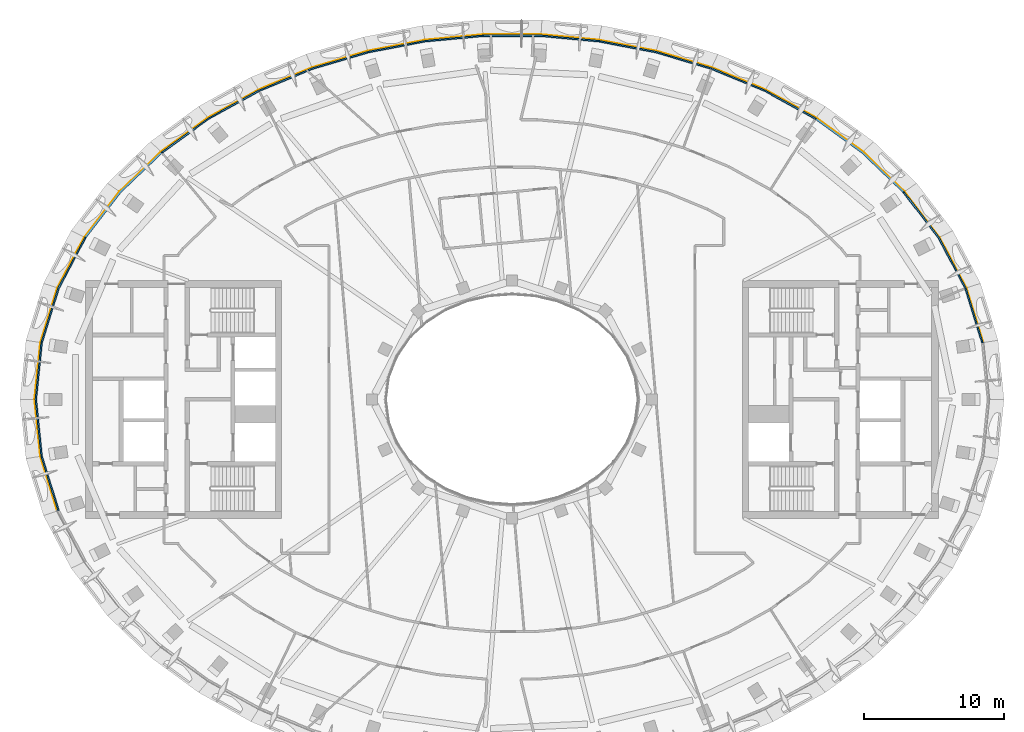
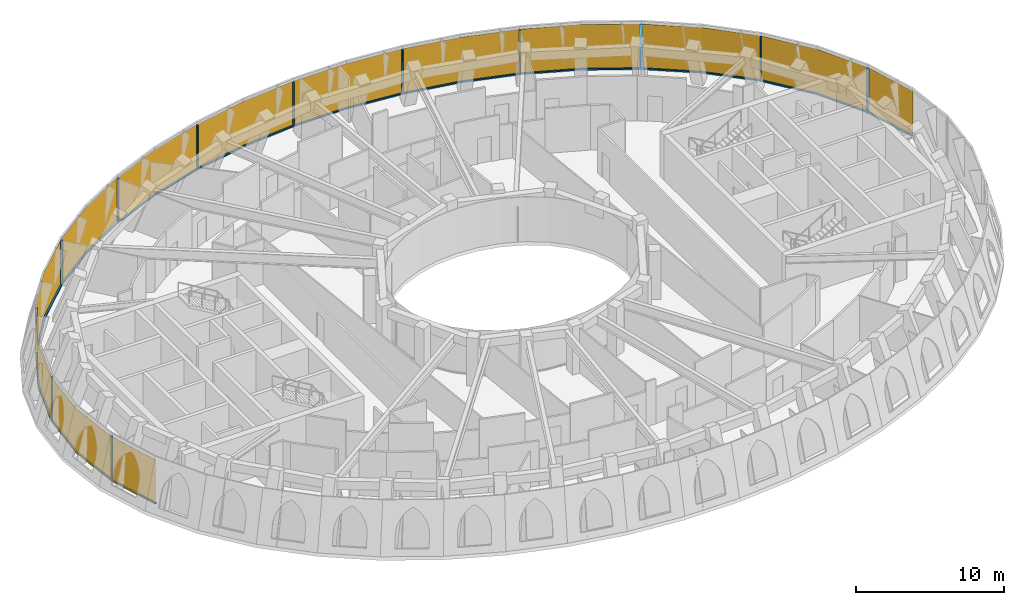
# One storey, part 10 of 14: 25 members, 1 curtain wall.
"""IFC4 building model written with IfcOpenShell, lengths in metres."""

from ifc_helpers import new_model, si_unit, direction, frame, origin, origin_2d, place, context, subcontext, project, spatial, polyline, rectangle, outline, extrude, material, layer, layer_set, material_profile, profile_set, type_object, element, aggregate, save


model = new_model("IFC4")

# Units and contexts
model_context = context("Model", 3, precision=1e-05, world=origin(), true_north=direction((0.0, 1.0)))
body_context = subcontext(model_context, "Body", "Model", "MODEL_VIEW")
ifc_project = project(units=[si_unit("LENGTHUNIT", "METRE"), si_unit("AREAUNIT", "SQUARE_METRE"), si_unit("VOLUMEUNIT", "CUBIC_METRE"), si_unit("PLANEANGLEUNIT", "RADIAN"), si_unit("MASSUNIT", "GRAM", prefix="KILO")], contexts=[model_context])

# Member
ifc_material_1 = material(Name="Aluminium 6063-T6 black anodised", Category="aluminium")
ifc_material_profile = material_profile(ifc_material_1, rectangle(XDim=0.1201171875, YDim=0.06005859375, at=origin_2d()), Name="120x60")
ifc_profile_set = profile_set([ifc_material_profile], Name="Aluminium 6063-T6 black anodised")
member_type_1 = type_object("IfcMemberType", Name="ENV-MULLION-H-120", PredefinedType="MULLION", material=ifc_profile_set)
site_placement = place(None, origin())
building_placement = place(site_placement, origin())
storey_placement = place(building_placement, frame((0.0, 0.0, 339.0)))
member_1_placement = place(storey_placement, frame((32.441650390625, 7.950927734375, 0.0), z_axis=(0.0, 0.0, 1.0), x_axis=(-0.923415426991, -0.383801966118, 0.0)))
member_1 = element("IfcMember", 1, at=member_1_placement, type_object=member_type_1, Name="Mullion H radial 03", PredefinedType="MULLION", context=body_context, shape_type="SweptSolid", body=[
    extrude(rectangle(XDim=0.1201171875, YDim=0.06005859375, at=origin_2d()), origin(), (0.0, 0.0, 1.0), 3.699951171875),
])

member_2_placement = place(storey_placement, frame((28.02392578125, 14.818603515625, 0.0), z_axis=(0.0, 0.0, 1.0), x_axis=(-0.743973057625, -0.668209614962, 0.0)))
member_2 = element("IfcMember", 2, at=member_2_placement, type_object=member_type_1, Name="Mullion H radial 05", PredefinedType="MULLION", context=body_context, shape_type="SweptSolid", body=[
    extrude(rectangle(XDim=0.1201171875, YDim=0.06005859375, at=origin_2d()), origin(), (0.0, 0.0, 1.0), 3.699951171875),
])

member_3_placement = place(storey_placement, frame((21.70947265625, 20.0859375, 0.0), z_axis=(0.0, 0.0, 1.0), x_axis=(-0.536384200715, -0.843973926862, 0.0)))
member_3 = element("IfcMember", 3, at=member_3_placement, type_object=member_type_1, Name="Mullion H radial 07", PredefinedType="MULLION", context=body_context, shape_type="SweptSolid", body=[
    extrude(rectangle(XDim=0.1201171875, YDim=0.06005859375, at=origin_2d()), origin(), (0.0, 0.0, 1.0), 3.699951171875),
])

member_4_placement = place(storey_placement, frame((14.263671875, 23.670166015625, 0.0), z_axis=(0.0, 0.0, 1.0), x_axis=(-0.333774757035, -0.942652858462, 0.0)))
member_4 = element("IfcMember", 4, at=member_4_placement, type_object=member_type_1, Name="Mullion H radial 09", PredefinedType="MULLION", context=body_context, shape_type="SweptSolid", body=[
    extrude(rectangle(XDim=0.1201171875, YDim=0.06005859375, at=origin_2d()), origin(), (0.0, 0.0, 1.0), 3.699951171875),
])

member_5_placement = place(storey_placement, frame((6.2109375, 25.628662109375, 0.0), z_axis=(0.0, 0.0, 1.0), x_axis=(-0.140930977434, -0.99001942385, 0.0)))
member_5 = element("IfcMember", 5, at=member_5_placement, type_object=member_type_1, Name="Mullion H radial 11", PredefinedType="MULLION", context=body_context, shape_type="SweptSolid", body=[
    extrude(rectangle(XDim=0.1201171875, YDim=0.06005859375, at=origin_2d()), origin(), (0.0, 0.0, 1.0), 3.699951171875),
])

member_6_placement = place(storey_placement, frame((-2.07666015625, 26.01708984375, 0.0), z_axis=(0.0, 0.0, 1.0), x_axis=(0.046829801895, -0.998902882994, 0.0)))
member_6 = element("IfcMember", 6, at=member_6_placement, type_object=member_type_1, Name="Mullion H radial 13", PredefinedType="MULLION", context=body_context, shape_type="SweptSolid", body=[
    extrude(rectangle(XDim=0.1201171875, YDim=0.06005859375, at=origin_2d()), origin(), (0.0, 0.0, 1.0), 3.699951171875),
])

member_7_placement = place(storey_placement, frame((-10.28759765625, 24.848388671875, 0.0), z_axis=(0.0, 0.0, 1.0), x_axis=(0.236328573501, -0.971673198842, 0.0)))
member_7 = element("IfcMember", 7, at=member_7_placement, type_object=member_type_1, Name="Mullion H radial 15", PredefinedType="MULLION", context=body_context, shape_type="SweptSolid", body=[
    extrude(rectangle(XDim=0.1201171875, YDim=0.06005859375, at=origin_2d()), origin(), (0.0, 0.0, 1.0), 3.699951171875),
])

member_8_placement = place(storey_placement, frame((-18.09033203125, 22.0859375, 0.0), z_axis=(0.0, 0.0, 1.0), x_axis=(0.433784978375, -0.901016421902, 0.0)))
member_8 = element("IfcMember", 8, at=member_8_placement, type_object=member_type_1, Name="Mullion H radial 17", PredefinedType="MULLION", context=body_context, shape_type="SweptSolid", body=[
    extrude(rectangle(XDim=0.1201171875, YDim=0.06005859375, at=origin_2d()), origin(), (0.0, 0.0, 1.0), 3.699951171875),
])

member_9_placement = place(storey_placement, frame((-25.0498046875, 17.66357421875, 0.0), z_axis=(0.0, 0.0, 1.0), x_axis=(0.640649869791, -0.767833148761, 0.0)))
member_9 = element("IfcMember", 9, at=member_9_placement, type_object=member_type_1, Name="Mullion H radial 19", PredefinedType="MULLION", context=body_context, shape_type="SweptSolid", body=[
    extrude(rectangle(XDim=0.1201171875, YDim=0.06005859375, at=origin_2d()), origin(), (0.0, 0.0, 1.0), 3.699951171875),
])

member_10_placement = place(storey_placement, frame((-30.527099609375, 11.566650390625, 0.0), z_axis=(0.0, 0.0, 1.0), x_axis=(0.841094622177, -0.540888007396, 0.0)))
member_10 = element("IfcMember", 10, at=member_10_placement, type_object=member_type_1, Name="Mullion H radial 21", PredefinedType="MULLION", context=body_context, shape_type="SweptSolid", body=[
    extrude(rectangle(XDim=0.1201171875, YDim=0.06005859375, at=origin_2d()), origin(), (0.0, 0.0, 1.0), 3.699951171875),
])

member_11_placement = place(storey_placement, frame((-33.651123046875, 4.053466796875, 0.0), z_axis=(0.0, 0.0, 1.0), x_axis=(0.979790543655, -0.20002622469, 0.0)))
member_11 = element("IfcMember", 11, at=member_11_placement, type_object=member_type_1, Name="Mullion H radial 23", PredefinedType="MULLION", context=body_context, shape_type="SweptSolid", body=[
    extrude(rectangle(XDim=0.1201171875, YDim=0.06005859375, at=origin_2d()), origin(), (0.0, 0.0, 1.0), 3.699951171875),
])

member_12_placement = place(storey_placement, frame((-33.651123046875, -4.053466796875, 0.0), z_axis=(0.0, 0.0, 1.0), x_axis=(0.979790543655, 0.20002622469, 0.0)))
member_12 = element("IfcMember", 12, at=member_12_placement, type_object=member_type_1, Name="Mullion H radial 25", PredefinedType="MULLION", context=body_context, shape_type="SweptSolid", body=[
    extrude(rectangle(XDim=0.1201171875, YDim=0.06005859375, at=origin_2d()), origin(), (0.0, 0.0, 1.0), 3.699951171875),
])

ifc_material_2 = material(Name="Aluminium 6063-T6 black anodised", Category="aluminium")
member_type_2 = type_object("IfcMemberType", Name="ENV-TRANSOM-H", PredefinedType="USERDEFINED", material=ifc_material_2)
member_13_placement = place(storey_placement, origin())
member_13 = element("IfcMember", 13, at=member_13_placement, type_object=member_type_2, Name="Transom H radial 02-03", ObjectType="TRANSOM", PredefinedType="USERDEFINED", context=body_context, shape_type="SweptSolid", body=[
    extrude(outline(polyline([(33.709716796875, 4.0654296875), (32.505126953125, 7.947265625), (32.393798828125, 7.90087890625), (33.591552734375, 4.041259765625), (33.709716796875, 4.0654296875)])), origin(), (0.0, 0.0, 1.0), 0.10009765625),
])

member_14_placement = place(storey_placement, origin())
member_14 = element("IfcMember", 14, at=member_14_placement, type_object=member_type_2, Name="Transom H radial 03-05", ObjectType="TRANSOM", PredefinedType="USERDEFINED", context=body_context, shape_type="SweptSolid", body=[
    extrude(outline(polyline([(32.48388671875, 7.998779296875), (30.577392578125, 11.59912109375), (28.08544921875, 14.83642578125), (27.99609375, 14.756103515625), (30.47607421875, 11.533935546875), (32.37255859375, 7.952392578125), (32.48388671875, 7.998779296875)])), origin(), (0.0, 0.0, 1.0), 0.10009765625),
])

member_15_placement = place(storey_placement, origin())
member_15 = element("IfcMember", 15, at=member_15_placement, type_object=member_type_2, Name="Transom H radial 05-07", ObjectType="TRANSOM", PredefinedType="USERDEFINED", context=body_context, shape_type="SweptSolid", body=[
    extrude(outline(polyline([(28.048095703125, 14.8779296875), (25.088134765625, 17.70947265625), (21.764404296875, 20.1201171875), (21.699951171875, 20.0185546875), (25.010986328125, 17.6171875), (27.958740234375, 14.797607421875), (28.048095703125, 14.8779296875)])), origin(), (0.0, 0.0, 1.0), 0.10009765625),
])

member_16_placement = place(storey_placement, origin())
member_16 = element("IfcMember", 16, at=member_16_placement, type_object=member_type_2, Name="Transom H radial 07-09", ObjectType="TRANSOM", PredefinedType="USERDEFINED", context=body_context, shape_type="SweptSolid", body=[
    extrude(outline(polyline([(21.71728515625, 20.150146484375), (18.116455078125, 22.139892578125), (14.3095703125, 23.716064453125), (14.269287109375, 23.602783203125), (18.064208984375, 22.031494140625), (21.652587890625, 20.048583984375), (21.71728515625, 20.150146484375)])), origin(), (0.0, 0.0, 1.0), 0.10009765625),
])

member_17_placement = place(storey_placement, origin())
member_17 = element("IfcMember", 17, at=member_17_placement, type_object=member_type_2, Name="Transom H radial 09-11", ObjectType="TRANSOM", PredefinedType="USERDEFINED", context=body_context, shape_type="SweptSolid", body=[
    extrude(outline(polyline([(14.2568359375, 23.734619140625), (10.3017578125, 24.906494140625), (6.246826171875, 25.6826171875), (6.22998046875, 25.563720703125), (10.273193359375, 24.789794921875), (14.216552734375, 23.621337890625), (14.2568359375, 23.734619140625)])), origin(), (0.0, 0.0, 1.0), 0.10009765625),
])

member_18_placement = place(storey_placement, origin())
member_18 = element("IfcMember", 18, at=member_18_placement, type_object=member_type_2, Name="Transom H radial 11-13", ObjectType="TRANSOM", PredefinedType="USERDEFINED", context=body_context, shape_type="SweptSolid", body=[
    extrude(outline(polyline([(6.191650390625, 25.690673828125), (2.079345703125, 26.076904296875), (-2.051513671875, 26.076904296875), (-2.0458984375, 25.95703125), (2.07373046875, 25.95703125), (6.174560546875, 25.571533203125), (6.191650390625, 25.690673828125)])), origin(), (0.0, 0.0, 1.0), 0.10009765625),
])

member_19_placement = place(storey_placement, origin())
member_19 = element("IfcMember", 19, at=member_19_placement, type_object=member_type_2, Name="Transom H radial 13-15", ObjectType="TRANSOM", PredefinedType="USERDEFINED", context=body_context, shape_type="SweptSolid", body=[
    extrude(outline(polyline([(-2.107421875, 26.074462890625), (-6.219482421875, 25.68798828125), (-10.274169921875, 24.911865234375), (-10.245849609375, 24.795166015625), (-6.202392578125, 25.569091796875), (-2.101806640625, 25.954345703125), (-2.107421875, 26.074462890625)])), origin(), (0.0, 0.0, 1.0), 0.10009765625),
])

member_20_placement = place(storey_placement, origin())
member_20 = element("IfcMember", 20, at=member_20_placement, type_object=member_type_2, Name="Transom H radial 15-17", ObjectType="TRANSOM", PredefinedType="USERDEFINED", context=body_context, shape_type="SweptSolid", body=[
    extrude(outline(polyline([(-10.32861328125, 24.898681640625), (-14.28369140625, 23.726806640625), (-18.090576171875, 22.150634765625), (-18.038330078125, 22.042236328125), (-14.243408203125, 23.613525390625), (-10.300048828125, 24.781982421875), (-10.32861328125, 24.898681640625)])), origin(), (0.0, 0.0, 1.0), 0.10009765625),
])

member_21_placement = place(storey_placement, origin())
member_21 = element("IfcMember", 21, at=member_21_placement, type_object=member_type_2, Name="Transom H radial 17-19", ObjectType="TRANSOM", PredefinedType="USERDEFINED", context=body_context, shape_type="SweptSolid", body=[
    extrude(outline(polyline([(-18.140869140625, 22.126220703125), (-21.74169921875, 20.136474609375), (-25.0654296875, 17.72607421875), (-24.988525390625, 17.633544921875), (-21.67724609375, 20.03515625), (-18.0888671875, 22.01806640625), (-18.140869140625, 22.126220703125)])), origin(), (0.0, 0.0, 1.0), 0.10009765625),
])

member_22_placement = place(storey_placement, origin())
member_22 = element("IfcMember", 22, at=member_22_placement, type_object=member_type_2, Name="Transom H radial 19-21", ObjectType="TRANSOM", PredefinedType="USERDEFINED", context=body_context, shape_type="SweptSolid", body=[
    extrude(outline(polyline([(-25.1083984375, 17.690185546875), (-28.068359375, 14.858642578125), (-30.560302734375, 11.621337890625), (-30.458984375, 11.55615234375), (-27.97900390625, 14.7783203125), (-25.031494140625, 17.597900390625), (-25.1083984375, 17.690185546875)])), origin(), (0.0, 0.0, 1.0), 0.10009765625),
])

member_23_placement = place(storey_placement, origin())
member_23 = element("IfcMember", 23, at=member_23_placement, type_object=member_type_2, Name="Transom H radial 21-23", ObjectType="TRANSOM", PredefinedType="USERDEFINED", context=body_context, shape_type="SweptSolid", body=[
    extrude(outline(polyline([(-30.590576171875, 11.574462890625), (-32.496826171875, 7.973876953125), (-33.701416015625, 4.09228515625), (-33.583251953125, 4.068115234375), (-32.385498046875, 7.927734375), (-30.4892578125, 11.50927734375), (-30.590576171875, 11.574462890625)])), origin(), (0.0, 0.0, 1.0), 0.10009765625),
])

member_24_placement = place(storey_placement, origin())
member_24 = element("IfcMember", 24, at=member_24_placement, type_object=member_type_2, Name="Transom H radial 23-25", ObjectType="TRANSOM", PredefinedType="USERDEFINED", context=body_context, shape_type="SweptSolid", body=[
    extrude(outline(polyline([(-33.71240234375, 4.03759765625), (-34.12548828125, 0.0), (-33.71240234375, -4.03759765625), (-33.594482421875, -4.013427734375), (-34.0048828125, 0.0), (-33.594482421875, 4.013427734375), (-33.71240234375, 4.03759765625)])), origin(), (0.0, 0.0, 1.0), 0.10009765625),
])

member_25_placement = place(storey_placement, origin())
member_25 = element("IfcMember", 25, at=member_25_placement, type_object=member_type_2, Name="Transom H radial 25-26", ObjectType="TRANSOM", PredefinedType="USERDEFINED", context=body_context, shape_type="SweptSolid", body=[
    extrude(outline(polyline([(-33.701416015625, -4.09228515625), (-32.496826171875, -7.973876953125), (-32.385498046875, -7.927734375), (-33.583251953125, -4.068115234375), (-33.701416015625, -4.09228515625)])), origin(), (0.0, 0.0, 1.0), 0.10009765625),
])

# Site, building, storey
site = spatial("IfcSite", under=ifc_project, at=site_placement, CompositionType="ELEMENT")
building = spatial("IfcBuilding", under=site, at=building_placement, Name="Noorbagh Ring Tower", CompositionType="ELEMENT")
storey = spatial("IfcBuildingStorey", under=building, at=storey_placement, Name="L74", CompositionType="ELEMENT", Elevation=339.0)

# Curtain wall
ifc_material_3 = material(Name="Glass dark tinted laminated", Category="glass")
ifc_layer = layer(ifc_material_3, 0.031982421875)
ifc_layer_set = layer_set([ifc_layer], Name="Glass dark tinted laminated")
curtain_wall_type = type_object("IfcCurtainWallType", Name="ENV-CW-H", PredefinedType="NOTDEFINED", material=ifc_layer_set)
curtain_wall_placement = place(storey_placement, origin())
curtain_wall = element("IfcCurtainWall", 26, at=curtain_wall_placement, inside=storey, type_object=curtain_wall_type, Name="Curtain wall H R02", PredefinedType="NOTDEFINED", context=body_context, shape_type="SweptSolid", body=[
    extrude(outline(polyline([(33.7412109375, 4.07177734375), (32.526611328125, 7.986328125), (30.6044921875, 11.616455078125), (28.09228515625, 14.880126953125), (25.108642578125, 17.734130859375), (21.7587890625, 20.16357421875), (18.13037109375, 22.168701171875), (14.294189453125, 23.757080078125), (10.30908203125, 24.937744140625), (6.22412109375, 25.7197265625), (2.080810546875, 26.10888671875), (-2.080810546875, 26.10888671875), (-6.22412109375, 25.7197265625), (-10.30908203125, 24.937744140625), (-14.294189453125, 23.757080078125), (-18.13037109375, 22.168701171875), (-21.7587890625, 20.16357421875), (-25.108642578125, 17.734130859375), (-28.09228515625, 14.880126953125), (-30.6044921875, 11.616455078125), (-32.526611328125, 7.986328125), (-33.7412109375, 4.07177734375), (-34.15771484375, 0.0), (-33.7412109375, -4.07177734375), (-32.526611328125, -7.986328125), (-32.496826171875, -7.973876953125), (-33.709716796875, -4.0654296875), (-34.12548828125, 0.0), (-33.709716796875, 4.0654296875), (-32.496826171875, 7.973876953125), (-30.577392578125, 11.59912109375), (-28.068359375, 14.858642578125), (-25.088134765625, 17.70947265625), (-21.74169921875, 20.136474609375), (-18.116455078125, 22.139892578125), (-14.28369140625, 23.726806640625), (-10.3017578125, 24.906494140625), (-6.219482421875, 25.68798828125), (-2.079345703125, 26.076904296875), (2.079345703125, 26.076904296875), (6.219482421875, 25.68798828125), (10.3017578125, 24.906494140625), (14.28369140625, 23.726806640625), (18.116455078125, 22.139892578125), (21.74169921875, 20.136474609375), (25.088134765625, 17.70947265625), (28.068359375, 14.858642578125), (30.577392578125, 11.59912109375), (32.496826171875, 7.973876953125), (33.709716796875, 4.0654296875), (33.7412109375, 4.07177734375)])), origin(), (0.0, 0.0, 1.0), 3.699951171875),
])

aggregate(curtain_wall, [member_1, member_2, member_3, member_4, member_5, member_6, member_7, member_8, member_9, member_10, member_11, member_12, member_13, member_14, member_15, member_16, member_17, member_18, member_19, member_20, member_21, member_22, member_23, member_24, member_25])

save(model, "model.ifc")
